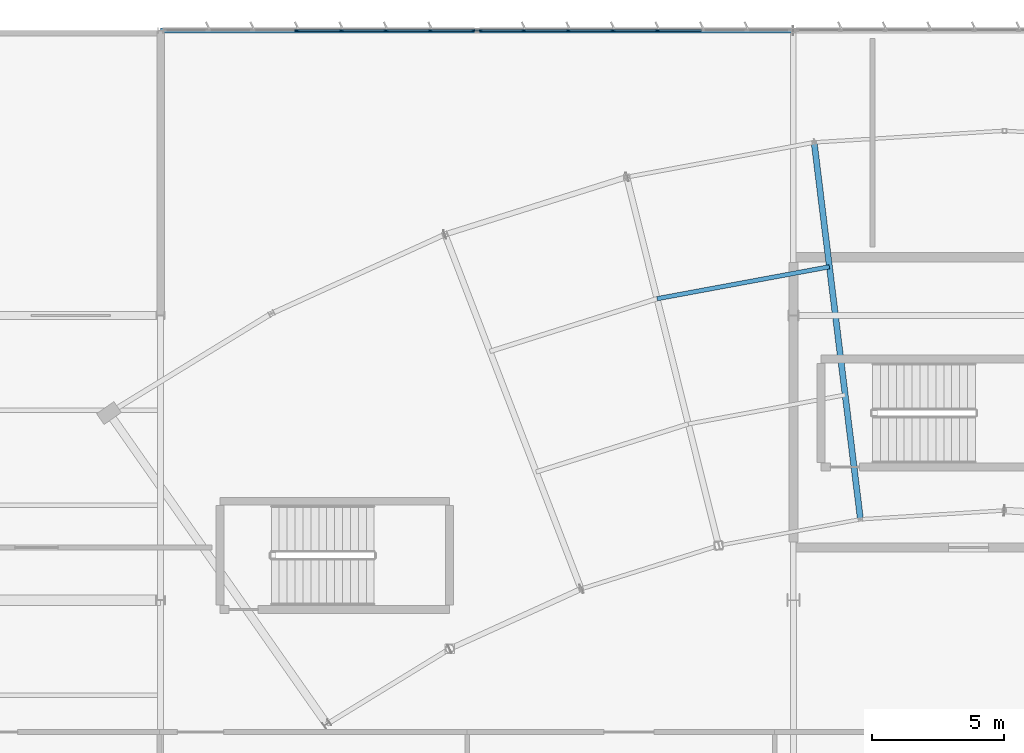
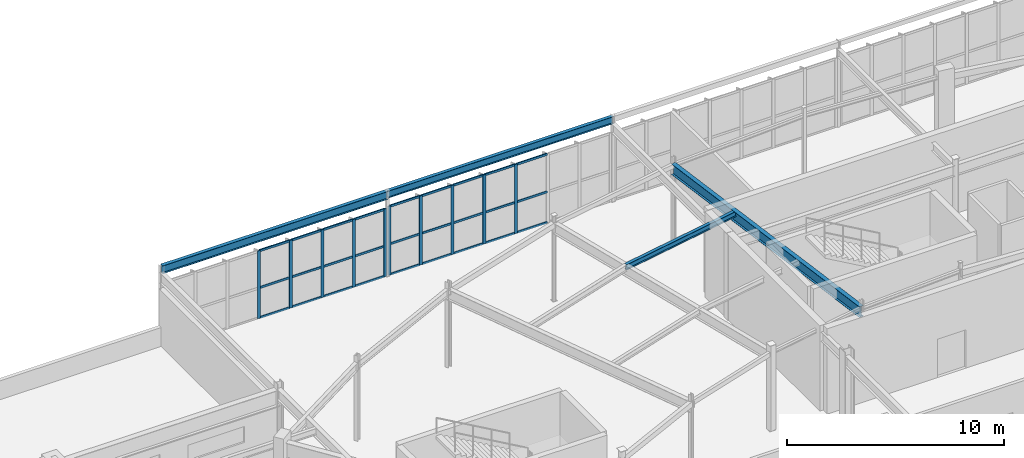
# One storey, part 80 of 186: 37 members, 4 beams, 2 elements without a shape of their own.
"""IFC4 building model written with IfcOpenShell, lengths in metres."""

from ifc_helpers import new_model, si_unit, direction, frame, origin, origin_2d, place, context, subcontext, project, spatial, rectangle, i_section, extrude, material, layer, layer_set, material_profile, profile_set, type_object, element, aggregate, save


model = new_model("IFC4")

# Units and contexts
model_context = context("Model", 3, precision=1e-05, world=origin(), true_north=direction((0.0, 1.0)))
body_context = subcontext(model_context, "Body", "Model", "MODEL_VIEW")
ifc_project = project(units=[si_unit("LENGTHUNIT", "METRE"), si_unit("AREAUNIT", "SQUARE_METRE"), si_unit("VOLUMEUNIT", "CUBIC_METRE"), si_unit("PLANEANGLEUNIT", "RADIAN"), si_unit("MASSUNIT", "GRAM", prefix="KILO")], contexts=[model_context])

# Site, building, storey
site_placement = place(None, origin())
site = spatial("IfcSite", under=ifc_project, at=site_placement, CompositionType="ELEMENT")
building_placement = place(site_placement, origin())
building = spatial("IfcBuilding", under=site, at=building_placement, Name="Tarnwether General Hospital", CompositionType="ELEMENT")
storey_placement = place(building_placement, frame((0.0, 0.0, 9.60009765625)))
storey = spatial("IfcBuildingStorey", under=building, at=storey_placement, Name="L02", CompositionType="ELEMENT", Elevation=9.60009765625)

# Beams
ifc_material_1 = material(Name="Steel Grade 350 (350 MPa)", Category="steel")
ifc_material_profile_1 = material_profile(ifc_material_1, i_section(OverallWidth=0.22802734375, OverallDepth=0.60205078125, WebThickness=0.010498046875, FlangeThickness=0.014892578125, at=origin_2d()), Name="610UB101")
ifc_profile_set_1 = profile_set([ifc_material_profile_1], Name="Steel Grade 350 (350 MPa)")
beam_type_1 = type_object("IfcBeamType", Name="BM-G05", PredefinedType="BEAM", material=ifc_profile_set_1)
beam_1_placement = place(storey_placement, frame((84.784912109375, 121.759033203125, 4.12890625), z_axis=(0.121881045946, -0.99254471468, 0.0), x_axis=(0.99254471468, 0.121881045946, 0.0)))
element("IfcBeam", 1, at=beam_1_placement, inside=storey, type_object=beam_type_1, Name="Curved Ward NW Radial Girder BMG-L02-8478_12176-8654_10747-1888", PredefinedType="BEAM", context=body_context, shape_type="SweptSolid", body=[
    extrude(i_section(OverallWidth=0.22802734375, OverallDepth=0.60205078125, WebThickness=0.010498046875, FlangeThickness=0.014892578125, at=origin_2d()), origin(), (0.0, 0.0, 1.0), 14.400390625),
])
ifc_material_2 = material(Name="Steel Grade 350 (350 MPa)", Category="steel")
ifc_material_profile_2 = material_profile(ifc_material_2, i_section(OverallWidth=0.166015625, OverallDepth=0.306884765625, WebThickness=0.006591796875, FlangeThickness=0.01171875, at=origin_2d()), Name="310UB46.2")
ifc_profile_set_2 = profile_set([ifc_material_profile_2], Name="Steel Grade 350 (350 MPa)")
beam_type_2 = type_object("IfcBeamType", Name="BM-J05", PredefinedType="JOIST", material=ifc_profile_set_2)
beam_2_placement = place(storey_placement, frame((78.827880859375, 115.8310546875, 4.2763671875), z_axis=(0.983267388773, 0.18216817004, 0.0), x_axis=(-0.18216817004, 0.983267388773, 0.0)))
element("IfcBeam", 2, at=beam_2_placement, inside=storey, type_object=beam_type_2, Name="Curved Ward NW Chord Joist BMG-L02-7883_11583-8536_11704-1901", PredefinedType="JOIST", context=body_context, shape_type="SweptSolid", body=[
    extrude(i_section(OverallWidth=0.166015625, OverallDepth=0.306884765625, WebThickness=0.006591796875, FlangeThickness=0.01171875, at=origin_2d()), origin(), (0.0, 0.0, 1.0), 6.6474609375),
])
ifc_material_3 = material(Name="Steel Grade 350 (350 MPa)", Category="steel")
ifc_material_profile_3 = material_profile(ifc_material_3, i_section(OverallWidth=0.18994140625, OverallDepth=0.4541015625, WebThickness=0.008544921875, FlangeThickness=0.0126953125, at=origin_2d()), Name="460UB67.1")
ifc_profile_set_3 = profile_set([ifc_material_profile_3], Name="Steel Grade 350 (350 MPa)")
beam_type_3 = type_object("IfcBeamType", Name="BM-SP1", PredefinedType="SPANDREL", material=ifc_profile_set_3)
beam_3_placement = place(storey_placement, frame((60.0, 126.0, 4.572998046875), z_axis=(1.0, 0.0, 0.0), x_axis=(0.0, 1.0, 0.0)))
element("IfcBeam", 3, at=beam_3_placement, inside=storey, type_object=beam_type_3, Name="Primary Girder BMG-L02-6000_12600-7200_12600-1496", PredefinedType="SPANDREL", context=body_context, shape_type="SweptSolid", body=[
    extrude(i_section(OverallWidth=0.18994140625, OverallDepth=0.4541015625, WebThickness=0.008544921875, FlangeThickness=0.0126953125, at=origin_2d()), origin(), (0.0, 0.0, 1.0), 12.0),
])
ifc_material_4 = material(Name="Steel Grade 350 (350 MPa)", Category="steel")
ifc_material_profile_4 = material_profile(ifc_material_4, i_section(OverallWidth=0.177978515625, OverallDepth=0.403076171875, WebThickness=0.007568359375, FlangeThickness=0.010986328125, at=origin_2d()), Name="410UB53.7")
ifc_profile_set_4 = profile_set([ifc_material_profile_4], Name="Steel Grade 350 (350 MPa)")
beam_type_4 = type_object("IfcBeamType", Name="BM-SP2", PredefinedType="SPANDREL", material=ifc_profile_set_4)
beam_4_placement = place(storey_placement, frame((72.0, 126.0, 4.598388671875), z_axis=(1.0, 0.0, 0.0), x_axis=(0.0, 1.0, 0.0)))
element("IfcBeam", 4, at=beam_4_placement, inside=storey, type_object=beam_type_4, Name="Primary Girder BMG-L02-7200_12600-8400_12600-1504", PredefinedType="SPANDREL", context=body_context, shape_type="SweptSolid", body=[
    extrude(i_section(OverallWidth=0.177978515625, OverallDepth=0.403076171875, WebThickness=0.007568359375, FlangeThickness=0.010986328125, at=origin_2d()), origin(), (0.0, 0.0, 1.0), 12.0),
])

# Curtain wall, members
ifc_material_5 = material(Name="Anodised aluminium", Category="aluminium")
ifc_layer = layer(ifc_material_5, 0.159912109375)
ifc_layer_set = layer_set([ifc_layer], Name="Anodised aluminium")
curtain_wall_type = type_object("IfcCurtainWallType", Name="CW-17", PredefinedType="NOTDEFINED", material=ifc_layer_set)
curtain_wall_1_placement = place(storey_placement, origin())
curtain_wall_1 = element("IfcCurtainWall", 5, at=curtain_wall_1_placement, inside=storey, type_object=curtain_wall_type, Name="Curtain Wall CWG-L02-601_1260-0403", PredefinedType="NOTDEFINED")
ifc_material_6 = material(Name="Anodised aluminium", Category="aluminium")
ifc_material_profile_5 = material_profile(ifc_material_6, rectangle(XDim=0.06005859375, YDim=0.159912109375, at=origin_2d()), Name="ALU-MUL-60x160")
ifc_profile_set_5 = profile_set([ifc_material_profile_5], Name="Anodised aluminium")
member_type_1 = type_object("IfcMemberType", Name="CW-ML1", PredefinedType="MULLION", material=ifc_profile_set_5)
member_1_placement = place(storey_placement, frame((65.171875, 126.0, 0.0), z_axis=(0.0, 0.0, 1.0), x_axis=(0.0, 1.0, 0.0)))
member_1 = element("IfcMember", 6, at=member_1_placement, type_object=member_type_1, Name="CW-17 mullion 4", PredefinedType="MULLION", context=body_context, shape_type="SweptSolid", body=[
    extrude(rectangle(XDim=0.06005859375, YDim=0.159912109375, at=origin_2d()), origin(), (0.0, 0.0, 1.0), 3.81298828125),
])
member_2_placement = place(storey_placement, frame((66.858154296875, 126.0, 0.0), z_axis=(0.0, 0.0, 1.0), x_axis=(0.0, 1.0, 0.0)))
member_2 = element("IfcMember", 7, at=member_2_placement, type_object=member_type_1, Name="CW-17 mullion 5", PredefinedType="MULLION", context=body_context, shape_type="SweptSolid", body=[
    extrude(rectangle(XDim=0.06005859375, YDim=0.159912109375, at=origin_2d()), origin(), (0.0, 0.0, 1.0), 3.81298828125),
])
member_3_placement = place(storey_placement, frame((68.54443359375, 126.0, 0.0), z_axis=(0.0, 0.0, 1.0), x_axis=(0.0, 1.0, 0.0)))
member_3 = element("IfcMember", 8, at=member_3_placement, type_object=member_type_1, Name="CW-17 mullion 6", PredefinedType="MULLION", context=body_context, shape_type="SweptSolid", body=[
    extrude(rectangle(XDim=0.06005859375, YDim=0.159912109375, at=origin_2d()), origin(), (0.0, 0.0, 1.0), 3.81298828125),
])
member_4_placement = place(storey_placement, frame((70.230712890625, 126.0, 0.0), z_axis=(0.0, 0.0, 1.0), x_axis=(0.0, 1.0, 0.0)))
member_4 = element("IfcMember", 9, at=member_4_placement, type_object=member_type_1, Name="CW-17 mullion 7", PredefinedType="MULLION", context=body_context, shape_type="SweptSolid", body=[
    extrude(rectangle(XDim=0.06005859375, YDim=0.159912109375, at=origin_2d()), origin(), (0.0, 0.0, 1.0), 3.81298828125),
])
member_5_placement = place(storey_placement, frame((71.886962890625, 126.0, 0.0), z_axis=(0.0, 0.0, 1.0), x_axis=(0.0, 1.0, 0.0)))
member_5 = element("IfcMember", 10, at=member_5_placement, type_object=member_type_1, Name="CW-17 mullion 8", PredefinedType="MULLION", context=body_context, shape_type="SweptSolid", body=[
    extrude(rectangle(XDim=0.06005859375, YDim=0.159912109375, at=origin_2d()), origin(), (0.0, 0.0, 1.0), 3.81298828125),
])

curtain_wall_2_placement = place(storey_placement, origin())
curtain_wall_2 = element("IfcCurtainWall", 11, at=curtain_wall_2_placement, inside=storey, type_object=curtain_wall_type, Name="Curtain Wall CWG-L02-721_1260-0404", PredefinedType="NOTDEFINED")
member_6_placement = place(storey_placement, frame((72.113037109375, 126.0, 0.0), z_axis=(0.0, 0.0, 1.0), x_axis=(0.0, 1.0, 0.0)))
member_6 = element("IfcMember", 12, at=member_6_placement, type_object=member_type_1, Name="CW-17 mullion 1", PredefinedType="MULLION", context=body_context, shape_type="SweptSolid", body=[
    extrude(rectangle(XDim=0.06005859375, YDim=0.159912109375, at=origin_2d()), origin(), (0.0, 0.0, 1.0), 3.886962890625),
])
member_7_placement = place(storey_placement, frame((73.773681640625, 126.0, 0.0), z_axis=(0.0, 0.0, 1.0), x_axis=(0.0, 1.0, 0.0)))
member_7 = element("IfcMember", 13, at=member_7_placement, type_object=member_type_1, Name="CW-17 mullion 2", PredefinedType="MULLION", context=body_context, shape_type="SweptSolid", body=[
    extrude(rectangle(XDim=0.06005859375, YDim=0.159912109375, at=origin_2d()), origin(), (0.0, 0.0, 1.0), 3.886962890625),
])
member_8_placement = place(storey_placement, frame((75.464111328125, 126.0, 0.0), z_axis=(0.0, 0.0, 1.0), x_axis=(0.0, 1.0, 0.0)))
member_8 = element("IfcMember", 14, at=member_8_placement, type_object=member_type_1, Name="CW-17 mullion 3", PredefinedType="MULLION", context=body_context, shape_type="SweptSolid", body=[
    extrude(rectangle(XDim=0.06005859375, YDim=0.159912109375, at=origin_2d()), origin(), (0.0, 0.0, 1.0), 3.886962890625),
])
member_9_placement = place(storey_placement, frame((77.15478515625, 126.0, 0.0), z_axis=(0.0, 0.0, 1.0), x_axis=(0.0, 1.0, 0.0)))
member_9 = element("IfcMember", 15, at=member_9_placement, type_object=member_type_1, Name="CW-17 mullion 4", PredefinedType="MULLION", context=body_context, shape_type="SweptSolid", body=[
    extrude(rectangle(XDim=0.06005859375, YDim=0.159912109375, at=origin_2d()), origin(), (0.0, 0.0, 1.0), 3.886962890625),
])
member_10_placement = place(storey_placement, frame((78.84521484375, 126.0, 0.0), z_axis=(0.0, 0.0, 1.0), x_axis=(0.0, 1.0, 0.0)))
member_10 = element("IfcMember", 16, at=member_10_placement, type_object=member_type_1, Name="CW-17 mullion 5", PredefinedType="MULLION", context=body_context, shape_type="SweptSolid", body=[
    extrude(rectangle(XDim=0.06005859375, YDim=0.159912109375, at=origin_2d()), origin(), (0.0, 0.0, 1.0), 3.886962890625),
])

# Member
ifc_material_7 = material(Name="Anodised aluminium", Category="aluminium")
ifc_material_profile_6 = material_profile(ifc_material_7, rectangle(XDim=0.06005859375, YDim=0.1201171875, at=origin_2d()), Name="ALU-TRN-60x120")
ifc_profile_set_6 = profile_set([ifc_material_profile_6], Name="Anodised aluminium")
member_type_2 = type_object("IfcMemberType", Name="CW-TR1", PredefinedType="USERDEFINED", material=ifc_profile_set_6)
member_11_placement = place(storey_placement, frame((65.201904296875, 126.0, 0.02978515625), z_axis=(1.0, 0.0, 0.0), x_axis=(0.0, 1.0, 0.0)))
member_11 = element("IfcMember", 17, at=member_11_placement, type_object=member_type_2, Name="CW-17 transom 4.1", ObjectType="TRANSOM", PredefinedType="USERDEFINED", context=body_context, shape_type="SweptSolid", body=[
    extrude(rectangle(XDim=0.06005859375, YDim=0.1201171875, at=origin_2d()), origin(), (0.0, 0.0, 1.0), 1.626220703125),
])

member_12_placement = place(storey_placement, frame((65.201904296875, 126.0, 1.7158203125), z_axis=(1.0, 0.0, 0.0), x_axis=(0.0, 1.0, 0.0)))
member_12 = element("IfcMember", 18, at=member_12_placement, type_object=member_type_2, Name="CW-17 transom 4.2", ObjectType="TRANSOM", PredefinedType="USERDEFINED", context=body_context, shape_type="SweptSolid", body=[
    extrude(rectangle(XDim=0.06005859375, YDim=0.1201171875, at=origin_2d()), origin(), (0.0, 0.0, 1.0), 1.626220703125),
])

member_13_placement = place(storey_placement, frame((65.201904296875, 126.0, 3.782958984375), z_axis=(1.0, 0.0, 0.0), x_axis=(0.0, 1.0, 0.0)))
member_13 = element("IfcMember", 19, at=member_13_placement, type_object=member_type_2, Name="CW-17 transom 4.3", ObjectType="TRANSOM", PredefinedType="USERDEFINED", context=body_context, shape_type="SweptSolid", body=[
    extrude(rectangle(XDim=0.06005859375, YDim=0.1201171875, at=origin_2d()), origin(), (0.0, 0.0, 1.0), 1.626220703125),
])

member_14_placement = place(storey_placement, frame((66.88818359375, 126.0, 0.02978515625), z_axis=(1.0, 0.0, 0.0), x_axis=(0.0, 1.0, 0.0)))
member_14 = element("IfcMember", 20, at=member_14_placement, type_object=member_type_2, Name="CW-17 transom 5.1", ObjectType="TRANSOM", PredefinedType="USERDEFINED", context=body_context, shape_type="SweptSolid", body=[
    extrude(rectangle(XDim=0.06005859375, YDim=0.1201171875, at=origin_2d()), origin(), (0.0, 0.0, 1.0), 1.626220703125),
])

member_15_placement = place(storey_placement, frame((66.88818359375, 126.0, 1.7158203125), z_axis=(1.0, 0.0, 0.0), x_axis=(0.0, 1.0, 0.0)))
member_15 = element("IfcMember", 21, at=member_15_placement, type_object=member_type_2, Name="CW-17 transom 5.2", ObjectType="TRANSOM", PredefinedType="USERDEFINED", context=body_context, shape_type="SweptSolid", body=[
    extrude(rectangle(XDim=0.06005859375, YDim=0.1201171875, at=origin_2d()), origin(), (0.0, 0.0, 1.0), 1.626220703125),
])

member_16_placement = place(storey_placement, frame((66.88818359375, 126.0, 3.782958984375), z_axis=(1.0, 0.0, 0.0), x_axis=(0.0, 1.0, 0.0)))
member_16 = element("IfcMember", 22, at=member_16_placement, type_object=member_type_2, Name="CW-17 transom 5.3", ObjectType="TRANSOM", PredefinedType="USERDEFINED", context=body_context, shape_type="SweptSolid", body=[
    extrude(rectangle(XDim=0.06005859375, YDim=0.1201171875, at=origin_2d()), origin(), (0.0, 0.0, 1.0), 1.626220703125),
])

member_17_placement = place(storey_placement, frame((68.574462890625, 126.0, 0.02978515625), z_axis=(1.0, 0.0, 0.0), x_axis=(0.0, 1.0, 0.0)))
member_17 = element("IfcMember", 23, at=member_17_placement, type_object=member_type_2, Name="CW-17 transom 6.1", ObjectType="TRANSOM", PredefinedType="USERDEFINED", context=body_context, shape_type="SweptSolid", body=[
    extrude(rectangle(XDim=0.06005859375, YDim=0.1201171875, at=origin_2d()), origin(), (0.0, 0.0, 1.0), 1.626220703125),
])

member_18_placement = place(storey_placement, frame((68.574462890625, 126.0, 1.7158203125), z_axis=(1.0, 0.0, 0.0), x_axis=(0.0, 1.0, 0.0)))
member_18 = element("IfcMember", 24, at=member_18_placement, type_object=member_type_2, Name="CW-17 transom 6.2", ObjectType="TRANSOM", PredefinedType="USERDEFINED", context=body_context, shape_type="SweptSolid", body=[
    extrude(rectangle(XDim=0.06005859375, YDim=0.1201171875, at=origin_2d()), origin(), (0.0, 0.0, 1.0), 1.626220703125),
])

member_19_placement = place(storey_placement, frame((68.574462890625, 126.0, 3.782958984375), z_axis=(1.0, 0.0, 0.0), x_axis=(0.0, 1.0, 0.0)))
member_19 = element("IfcMember", 25, at=member_19_placement, type_object=member_type_2, Name="CW-17 transom 6.3", ObjectType="TRANSOM", PredefinedType="USERDEFINED", context=body_context, shape_type="SweptSolid", body=[
    extrude(rectangle(XDim=0.06005859375, YDim=0.1201171875, at=origin_2d()), origin(), (0.0, 0.0, 1.0), 1.626220703125),
])

member_20_placement = place(storey_placement, frame((70.2607421875, 126.0, 0.02978515625), z_axis=(1.0, 0.0, 0.0), x_axis=(0.0, 1.0, 0.0)))
member_20 = element("IfcMember", 26, at=member_20_placement, type_object=member_type_2, Name="CW-17 transom 7.1", ObjectType="TRANSOM", PredefinedType="USERDEFINED", context=body_context, shape_type="SweptSolid", body=[
    extrude(rectangle(XDim=0.06005859375, YDim=0.1201171875, at=origin_2d()), origin(), (0.0, 0.0, 1.0), 1.59619140625),
])

member_21_placement = place(storey_placement, frame((70.2607421875, 126.0, 1.7158203125), z_axis=(1.0, 0.0, 0.0), x_axis=(0.0, 1.0, 0.0)))
member_21 = element("IfcMember", 27, at=member_21_placement, type_object=member_type_2, Name="CW-17 transom 7.2", ObjectType="TRANSOM", PredefinedType="USERDEFINED", context=body_context, shape_type="SweptSolid", body=[
    extrude(rectangle(XDim=0.06005859375, YDim=0.1201171875, at=origin_2d()), origin(), (0.0, 0.0, 1.0), 1.59619140625),
])

member_22_placement = place(storey_placement, frame((70.2607421875, 126.0, 3.782958984375), z_axis=(1.0, 0.0, 0.0), x_axis=(0.0, 1.0, 0.0)))
member_22 = element("IfcMember", 28, at=member_22_placement, type_object=member_type_2, Name="CW-17 transom 7.3", ObjectType="TRANSOM", PredefinedType="USERDEFINED", context=body_context, shape_type="SweptSolid", body=[
    extrude(rectangle(XDim=0.06005859375, YDim=0.1201171875, at=origin_2d()), origin(), (0.0, 0.0, 1.0), 1.59619140625),
])

aggregate(curtain_wall_1, [member_1, member_2, member_3, member_4, member_5, member_11, member_12, member_13, member_14, member_15, member_16, member_17, member_18, member_19, member_20, member_21, member_22])

member_23_placement = place(storey_placement, frame((72.14306640625, 126.0, 0.02978515625), z_axis=(1.0, 0.0, 0.0), x_axis=(0.0, 1.0, 0.0)))
member_23 = element("IfcMember", 29, at=member_23_placement, type_object=member_type_2, Name="CW-17 transom 1.1", ObjectType="TRANSOM", PredefinedType="USERDEFINED", context=body_context, shape_type="SweptSolid", body=[
    extrude(rectangle(XDim=0.06005859375, YDim=0.1201171875, at=origin_2d()), origin(), (0.0, 0.0, 1.0), 1.6005859375),
])

member_24_placement = place(storey_placement, frame((72.14306640625, 126.0, 1.7490234375), z_axis=(1.0, 0.0, 0.0), x_axis=(0.0, 1.0, 0.0)))
member_24 = element("IfcMember", 30, at=member_24_placement, type_object=member_type_2, Name="CW-17 transom 1.2", ObjectType="TRANSOM", PredefinedType="USERDEFINED", context=body_context, shape_type="SweptSolid", body=[
    extrude(rectangle(XDim=0.06005859375, YDim=0.1201171875, at=origin_2d()), origin(), (0.0, 0.0, 1.0), 1.6005859375),
])

member_25_placement = place(storey_placement, frame((72.14306640625, 126.0, 3.85693359375), z_axis=(1.0, 0.0, 0.0), x_axis=(0.0, 1.0, 0.0)))
member_25 = element("IfcMember", 31, at=member_25_placement, type_object=member_type_2, Name="CW-17 transom 1.3", ObjectType="TRANSOM", PredefinedType="USERDEFINED", context=body_context, shape_type="SweptSolid", body=[
    extrude(rectangle(XDim=0.06005859375, YDim=0.1201171875, at=origin_2d()), origin(), (0.0, 0.0, 1.0), 1.6005859375),
])

member_26_placement = place(storey_placement, frame((73.803466796875, 126.0, 0.02978515625), z_axis=(1.0, 0.0, 0.0), x_axis=(0.0, 1.0, 0.0)))
member_26 = element("IfcMember", 32, at=member_26_placement, type_object=member_type_2, Name="CW-17 transom 2.1", ObjectType="TRANSOM", PredefinedType="USERDEFINED", context=body_context, shape_type="SweptSolid", body=[
    extrude(rectangle(XDim=0.06005859375, YDim=0.1201171875, at=origin_2d()), origin(), (0.0, 0.0, 1.0), 1.630615234375),
])

member_27_placement = place(storey_placement, frame((73.803466796875, 126.0, 1.7490234375), z_axis=(1.0, 0.0, 0.0), x_axis=(0.0, 1.0, 0.0)))
member_27 = element("IfcMember", 33, at=member_27_placement, type_object=member_type_2, Name="CW-17 transom 2.2", ObjectType="TRANSOM", PredefinedType="USERDEFINED", context=body_context, shape_type="SweptSolid", body=[
    extrude(rectangle(XDim=0.06005859375, YDim=0.1201171875, at=origin_2d()), origin(), (0.0, 0.0, 1.0), 1.630615234375),
])

member_28_placement = place(storey_placement, frame((73.803466796875, 126.0, 3.85693359375), z_axis=(1.0, 0.0, 0.0), x_axis=(0.0, 1.0, 0.0)))
member_28 = element("IfcMember", 34, at=member_28_placement, type_object=member_type_2, Name="CW-17 transom 2.3", ObjectType="TRANSOM", PredefinedType="USERDEFINED", context=body_context, shape_type="SweptSolid", body=[
    extrude(rectangle(XDim=0.06005859375, YDim=0.1201171875, at=origin_2d()), origin(), (0.0, 0.0, 1.0), 1.630615234375),
])

member_29_placement = place(storey_placement, frame((75.494140625, 126.0, 0.02978515625), z_axis=(1.0, 0.0, 0.0), x_axis=(0.0, 1.0, 0.0)))
member_29 = element("IfcMember", 35, at=member_29_placement, type_object=member_type_2, Name="CW-17 transom 3.1", ObjectType="TRANSOM", PredefinedType="USERDEFINED", context=body_context, shape_type="SweptSolid", body=[
    extrude(rectangle(XDim=0.06005859375, YDim=0.1201171875, at=origin_2d()), origin(), (0.0, 0.0, 1.0), 1.630615234375),
])

member_30_placement = place(storey_placement, frame((75.494140625, 126.0, 1.7490234375), z_axis=(1.0, 0.0, 0.0), x_axis=(0.0, 1.0, 0.0)))
member_30 = element("IfcMember", 36, at=member_30_placement, type_object=member_type_2, Name="CW-17 transom 3.2", ObjectType="TRANSOM", PredefinedType="USERDEFINED", context=body_context, shape_type="SweptSolid", body=[
    extrude(rectangle(XDim=0.06005859375, YDim=0.1201171875, at=origin_2d()), origin(), (0.0, 0.0, 1.0), 1.630615234375),
])

member_31_placement = place(storey_placement, frame((75.494140625, 126.0, 3.85693359375), z_axis=(1.0, 0.0, 0.0), x_axis=(0.0, 1.0, 0.0)))
member_31 = element("IfcMember", 37, at=member_31_placement, type_object=member_type_2, Name="CW-17 transom 3.3", ObjectType="TRANSOM", PredefinedType="USERDEFINED", context=body_context, shape_type="SweptSolid", body=[
    extrude(rectangle(XDim=0.06005859375, YDim=0.1201171875, at=origin_2d()), origin(), (0.0, 0.0, 1.0), 1.630615234375),
])

member_32_placement = place(storey_placement, frame((77.184814453125, 126.0, 0.02978515625), z_axis=(1.0, 0.0, 0.0), x_axis=(0.0, 1.0, 0.0)))
member_32 = element("IfcMember", 38, at=member_32_placement, type_object=member_type_2, Name="CW-17 transom 4.1", ObjectType="TRANSOM", PredefinedType="USERDEFINED", context=body_context, shape_type="SweptSolid", body=[
    extrude(rectangle(XDim=0.06005859375, YDim=0.1201171875, at=origin_2d()), origin(), (0.0, 0.0, 1.0), 1.63037109375),
])

member_33_placement = place(storey_placement, frame((77.184814453125, 126.0, 1.7490234375), z_axis=(1.0, 0.0, 0.0), x_axis=(0.0, 1.0, 0.0)))
member_33 = element("IfcMember", 39, at=member_33_placement, type_object=member_type_2, Name="CW-17 transom 4.2", ObjectType="TRANSOM", PredefinedType="USERDEFINED", context=body_context, shape_type="SweptSolid", body=[
    extrude(rectangle(XDim=0.06005859375, YDim=0.1201171875, at=origin_2d()), origin(), (0.0, 0.0, 1.0), 1.63037109375),
])

member_34_placement = place(storey_placement, frame((77.184814453125, 126.0, 3.85693359375), z_axis=(1.0, 0.0, 0.0), x_axis=(0.0, 1.0, 0.0)))
member_34 = element("IfcMember", 40, at=member_34_placement, type_object=member_type_2, Name="CW-17 transom 4.3", ObjectType="TRANSOM", PredefinedType="USERDEFINED", context=body_context, shape_type="SweptSolid", body=[
    extrude(rectangle(XDim=0.06005859375, YDim=0.1201171875, at=origin_2d()), origin(), (0.0, 0.0, 1.0), 1.63037109375),
])

member_35_placement = place(storey_placement, frame((78.875244140625, 126.0, 0.02978515625), z_axis=(1.0, 0.0, 0.0), x_axis=(0.0, 1.0, 0.0)))
member_35 = element("IfcMember", 41, at=member_35_placement, type_object=member_type_2, Name="CW-17 transom 5.1", ObjectType="TRANSOM", PredefinedType="USERDEFINED", context=body_context, shape_type="SweptSolid", body=[
    extrude(rectangle(XDim=0.06005859375, YDim=0.1201171875, at=origin_2d()), origin(), (0.0, 0.0, 1.0), 1.630615234375),
])

member_36_placement = place(storey_placement, frame((78.875244140625, 126.0, 1.7490234375), z_axis=(1.0, 0.0, 0.0), x_axis=(0.0, 1.0, 0.0)))
member_36 = element("IfcMember", 42, at=member_36_placement, type_object=member_type_2, Name="CW-17 transom 5.2", ObjectType="TRANSOM", PredefinedType="USERDEFINED", context=body_context, shape_type="SweptSolid", body=[
    extrude(rectangle(XDim=0.06005859375, YDim=0.1201171875, at=origin_2d()), origin(), (0.0, 0.0, 1.0), 1.630615234375),
])

member_37_placement = place(storey_placement, frame((78.875244140625, 126.0, 3.85693359375), z_axis=(1.0, 0.0, 0.0), x_axis=(0.0, 1.0, 0.0)))
member_37 = element("IfcMember", 43, at=member_37_placement, type_object=member_type_2, Name="CW-17 transom 5.3", ObjectType="TRANSOM", PredefinedType="USERDEFINED", context=body_context, shape_type="SweptSolid", body=[
    extrude(rectangle(XDim=0.06005859375, YDim=0.1201171875, at=origin_2d()), origin(), (0.0, 0.0, 1.0), 1.630615234375),
])

aggregate(curtain_wall_2, [member_6, member_7, member_8, member_9, member_10, member_23, member_24, member_25, member_26, member_27, member_28, member_29, member_30, member_31, member_32, member_33, member_34, member_35, member_36, member_37])

save(model, "model.ifc")
